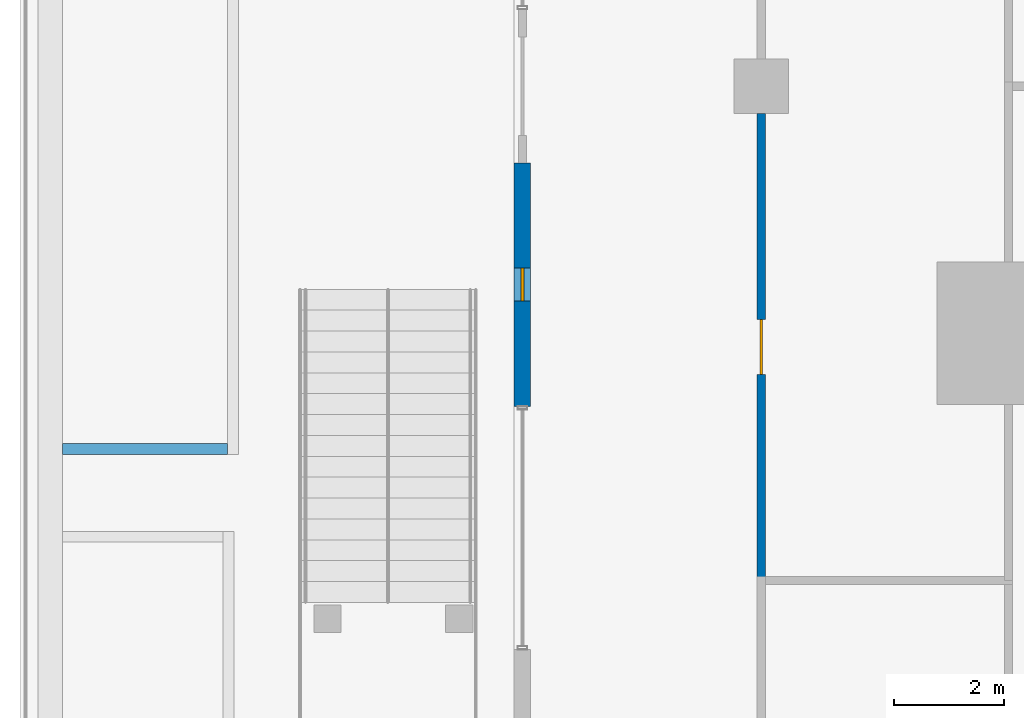
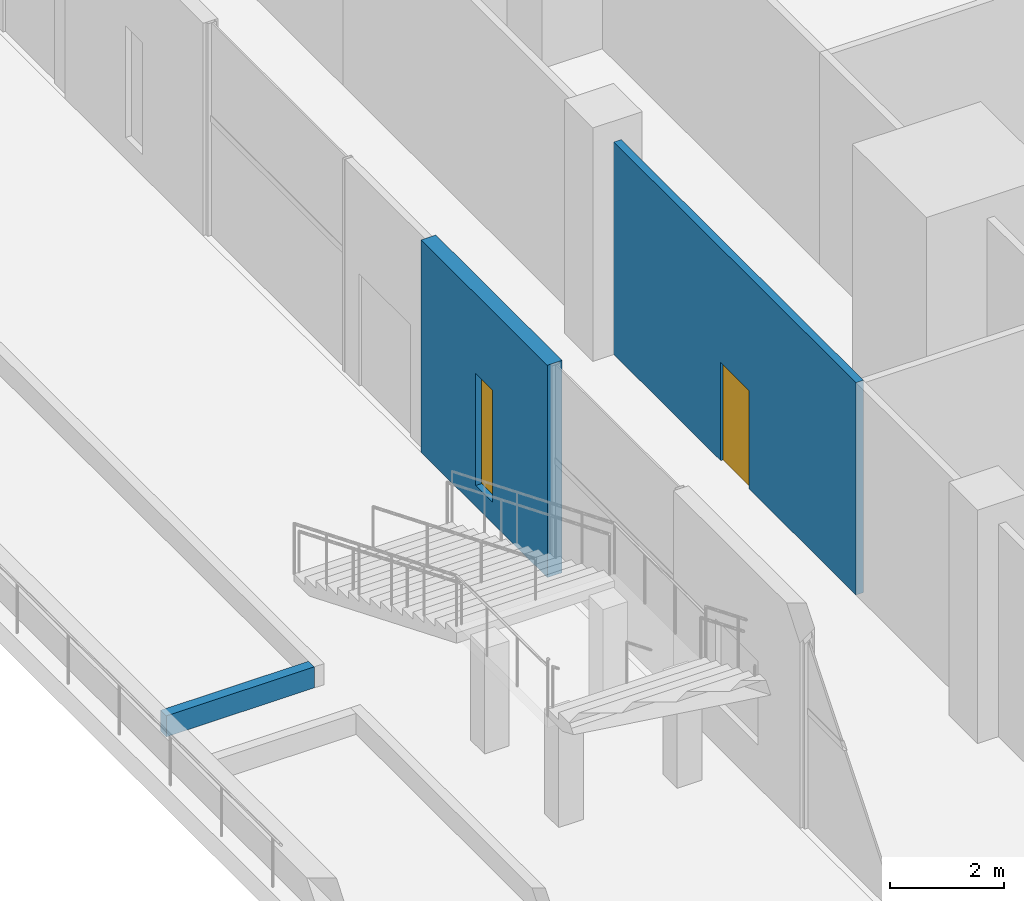
# One storey, part 30 of 49: 3 walls, 1 door, 1 window, 2 openings.
"""IFC4 building model written with IfcOpenShell, lengths in metres."""

from ifc_helpers import new_model, si_unit, direction, frame, frame_2d, origin, place, context, subcontext, project, spatial, rectangle, extrude, material, layer, layer_set, type_object, element, fill, save


model = new_model("IFC4")

# Units and contexts
model_context = context("Model", 3, precision=1e-05, world=origin(), true_north=direction((0.0, 1.0)))
body_context = subcontext(model_context, "Body", "Model", "MODEL_VIEW")
ifc_project = project(units=[si_unit("LENGTHUNIT", "METRE"), si_unit("AREAUNIT", "SQUARE_METRE"), si_unit("VOLUMEUNIT", "CUBIC_METRE"), si_unit("PLANEANGLEUNIT", "RADIAN"), si_unit("MASSUNIT", "GRAM", prefix="KILO")], contexts=[model_context])

# Site, building, storey
site_placement = place(None, origin())
site = spatial("IfcSite", under=ifc_project, at=site_placement, CompositionType="ELEMENT")
building_placement = place(site_placement, origin())
building = spatial("IfcBuilding", under=site, at=building_placement, Name="Altepetl Exchange Towers", CompositionType="ELEMENT")
storey_placement = place(building_placement, frame((0.0, 0.0, 11.5)))
storey = spatial("IfcBuildingStorey", under=building, at=storey_placement, Name="L02 Exchange podium", CompositionType="ELEMENT", Elevation=11.5)

# Wall
ifc_material_1 = material(Name="Reinforced concrete C35/45", Category="concrete")
ifc_layer_1 = layer(ifc_material_1, 0.199951171875)
ifc_layer_set_1 = layer_set([ifc_layer_1], Name="Reinforced concrete C35/45")
wall_type_1 = type_object("IfcWallType", Name="Planting bed curb 200", PredefinedType="SOLIDWALL", material=ifc_layer_set_1)
wall_1_placement = place(storey_placement, frame((9.77490234375, 42.89501953125, 0.0)))
element("IfcWall", 1, at=wall_1_placement, inside=storey, type_object=wall_type_1, Name="wall:P:L02:CB21s", PredefinedType="SOLIDWALL", context=body_context, shape_type="SweptSolid", body=[
    extrude(rectangle(XDim=3.0, YDim=0.199951171875, at=frame_2d((1.5, 0.0))), origin(), (0.0, 0.0, 1.0), 0.449951171875),
])

# Wall, opening, door
ifc_material_2 = material(Name="Gypsum board on steel studs", Category="steel")
ifc_layer_2 = layer(ifc_material_2, 0.14990234375)
ifc_layer_set_2 = layer_set([ifc_layer_2], Name="Gypsum board on steel studs")
wall_type_2 = type_object("IfcWallType", Name="Podium partition 150", PredefinedType="PARTITIONING", material=ifc_layer_set_2)
wall_2_placement = place(storey_placement, frame((22.5, 40.5, 0.0), z_axis=(0.0, 0.0, 1.0), x_axis=(0.0, 1.0, 0.0)))
wall_2 = element("IfcWall", 2, at=wall_2_placement, inside=storey, type_object=wall_type_2, Name="wall:P:L02:P005", PredefinedType="PARTITIONING", context=body_context, shape_type="SweptSolid", body=[
    extrude(rectangle(XDim=8.5048828125, YDim=0.14990234375, at=frame_2d((4.25244140625, 0.0))), origin(), (0.0, 0.0, 1.0), 4.550048828125),
])
opening_1_placement = place(wall_2_placement, frame((3.75, 0.0, 0.0)))
opening_1 = element("IfcOpeningElement", 3, at=opening_1_placement, cuts=wall_2, Name="Opening L02.P002", PredefinedType="OPENING", context=body_context, shape_type="SweptSolid", body=[
    extrude(rectangle(XDim=1.0, YDim=2.10009765625, at=frame_2d((0.5, 1.050048828125))), frame((0.0, 0.0849609375, 0.0), z_axis=(0.0, -1.0, 0.0), x_axis=(1.0, 0.0, 0.0)), (0.0, 0.0, 1.0), 0.169921875),
])
ifc_material_3 = material(Name="Steel and timber fire door", Category="steel")
door_type = type_object("IfcDoorType", Name="Podium fire door 1000 x 2100 single leaf", OperationType="SINGLE_SWING_LEFT", PredefinedType="DOOR", material=ifc_material_3)
door_placement = place(opening_1_placement, frame((1.0, 0.0, 0.0), x_axis=(-1.0, 0.0, 0.0)))
door = element("IfcDoor", 4, at=door_placement, inside=storey, type_object=door_type, Name="door:P:L02:002", OperationType="SINGLE_SWING_RIGHT", OverallHeight=2.10009765625, OverallWidth=1.0, PredefinedType="DOOR", context=body_context, shape_type="SweptSolid", body=[
    extrude(rectangle(XDim=1.0, YDim=2.10009765625, at=frame_2d((0.5, 1.050048828125))), frame((0.0, 0.02490234375, 0.0), z_axis=(0.0, -1.0, 0.0), x_axis=(1.0, 0.0, 0.0)), (0.0, 0.0, 1.0), 0.050048828125),
])
fill(opening_1, door)

# Wall, opening, window
ifc_material_4 = material(Name="Cantera limestone cladding", Category="masonry")
ifc_layer_3 = layer(ifc_material_4, 0.300048828125)
ifc_layer_set_3 = layer_set([ifc_layer_3], Name="Cantera limestone cladding")
wall_type_3 = type_object("IfcWallType", Name="Stone wall panel 300", PredefinedType="ELEMENTEDWALL", material=ifc_layer_set_3)
wall_3_placement = place(storey_placement, frame((18.14990234375, 48.10009765625, 0.0), z_axis=(0.0, 0.0, 1.0), x_axis=(0.0, -1.0, 0.0)))
wall_3 = element("IfcWall", 5, at=wall_3_placement, inside=storey, type_object=wall_type_3, Name="Stone wall panel", PredefinedType="ELEMENTEDWALL", context=body_context, shape_type="SweptSolid", body=[
    extrude(rectangle(XDim=4.43017578125, YDim=0.300048828125, at=frame_2d((2.215087890625, 0.0))), origin(), (0.0, 0.0, 1.0), 4.550048828125),
])
opening_2_placement = place(wall_3_placement, frame((1.9150390625, 0.0, 0.449951171875)))
opening_2 = element("IfcOpeningElement", 6, at=opening_2_placement, cuts=wall_3, Name="Opening W3", PredefinedType="OPENING", context=body_context, shape_type="SweptSolid", body=[
    extrude(rectangle(XDim=0.60009765625, YDim=2.39990234375, at=frame_2d((0.300048828125, 1.199951171875))), frame((0.0, 0.16015625, 0.0), z_axis=(0.0, -1.0, 0.0), x_axis=(1.0, 0.0, 0.0)), (0.0, 0.0, 1.0), 0.320068359375),
])
ifc_material_5 = material(Name="Aluminium 6063-T6 and glass", Category="aluminium")
window_type = type_object("IfcWindowType", Name="Tall slot window 600x2400", PartitioningType="SINGLE_PANEL", PredefinedType="WINDOW", material=ifc_material_5)
window_placement = place(opening_2_placement, origin())
window = element("IfcWindow", 7, at=window_placement, inside=storey, type_object=window_type, Name="Window", OverallHeight=2.39990234375, OverallWidth=0.60009765625, PartitioningType="SINGLE_PANEL", PredefinedType="WINDOW", context=body_context, shape_type="SweptSolid", body=[
    extrude(rectangle(XDim=0.60009765625, YDim=2.39990234375, at=frame_2d((0.300048828125, 1.199951171875))), frame((0.0, 0.030029296875, 0.0), z_axis=(0.0, -1.0, 0.0), x_axis=(1.0, 0.0, 0.0)), (0.0, 0.0, 1.0), 0.06005859375),
])
fill(opening_2, window)

save(model, "model.ifc")
